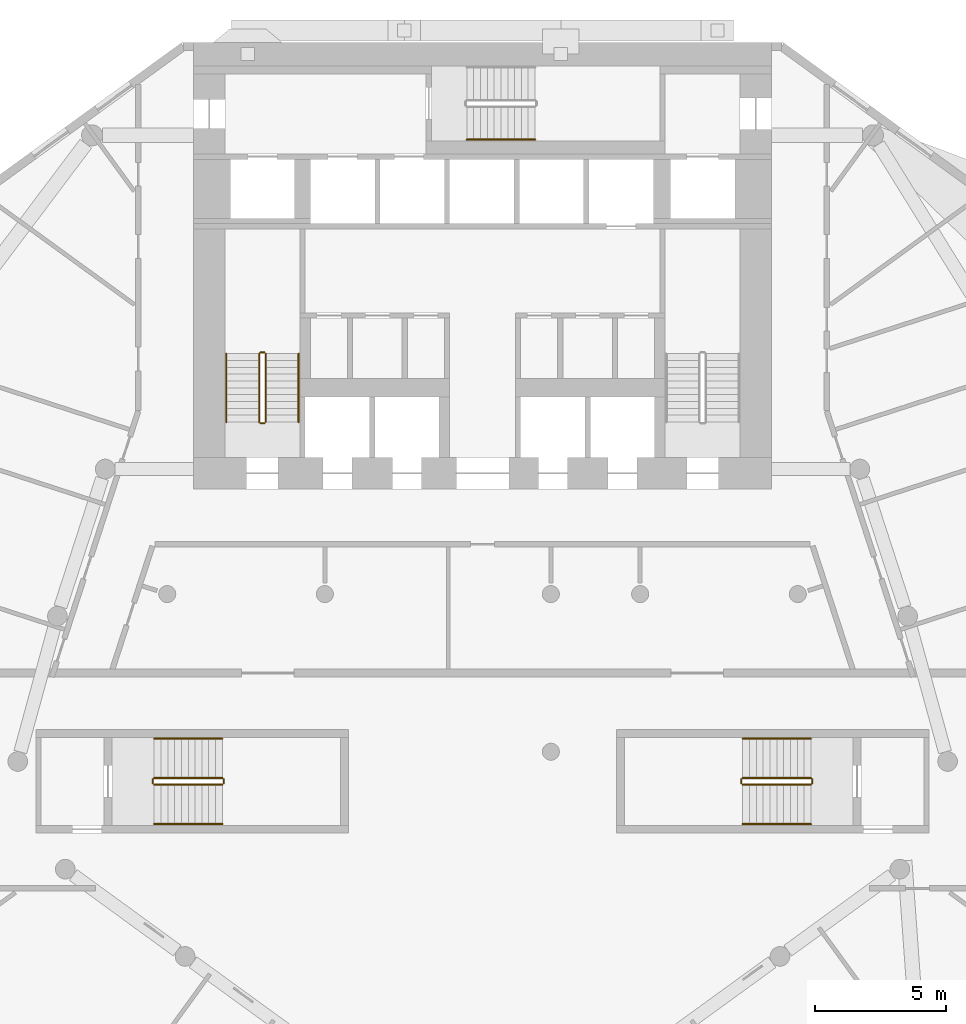
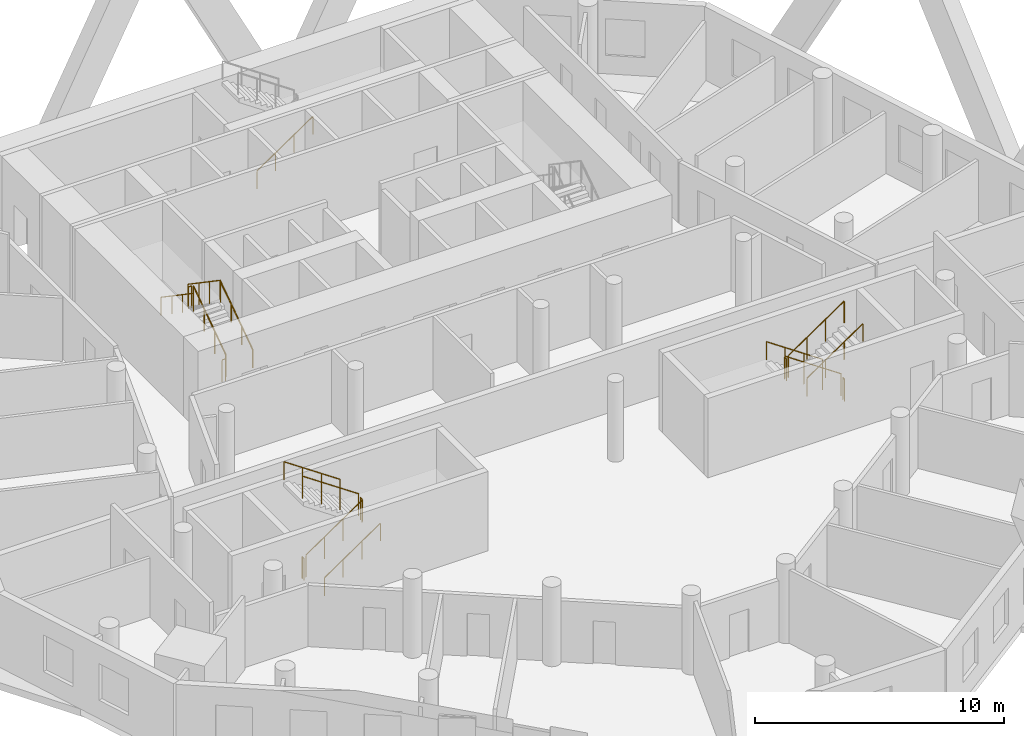
# One storey, part 9 of 10: 19 railings.
"""IFC4 building model written with IfcOpenShell, lengths in metres."""

from ifc_helpers import new_model, si_unit, direction, frame, origin, origin_2d, place, context, subcontext, project, spatial, circle, extrude, material, type_object, element, save


model = new_model("IFC4")

# Units and contexts
model_context = context("Model", 3, precision=1e-05, world=origin(), true_north=direction((0.0, 1.0)))
body_context = subcontext(model_context, "Body", "Model", "MODEL_VIEW")
ifc_project = project(units=[si_unit("LENGTHUNIT", "METRE"), si_unit("AREAUNIT", "SQUARE_METRE"), si_unit("VOLUMEUNIT", "CUBIC_METRE"), si_unit("PLANEANGLEUNIT", "RADIAN"), si_unit("MASSUNIT", "GRAM", prefix="KILO")], contexts=[model_context])

# Site, building, storey
site_placement = place(None, origin())
site = spatial("IfcSite", under=ifc_project, at=site_placement, CompositionType="ELEMENT")
building_placement = place(site_placement, origin())
building = spatial("IfcBuilding", under=site, at=building_placement, Name="White Candle Pilgrim Tower", CompositionType="ELEMENT")
storey_placement = place(building_placement, frame((0.0, 0.0, 54.60009765625)))
storey = spatial("IfcBuildingStorey", under=building, at=storey_placement, Name="L10", CompositionType="ELEMENT", Elevation=54.60009765625)

# Railings
ifc_material = material(Name="Stainless steel", Category="steel")
railing_type_1 = type_object("IfcRailingType", Name="Stair guard stainless steel 1100 mm", PredefinedType="GUARDRAIL", material=ifc_material)
railing_1_placement = place(storey_placement, frame((61.75, 73.550048828125, 0.17724609375)))
element("IfcRailing", 1, at=railing_1_placement, inside=storey, type_object=railing_type_1, Name="L10 ST1 stair guard 1", PredefinedType="GUARDRAIL", context=body_context, shape_type="SweptSolid", body=[
    extrude(circle(Radius=0.02392578125, at=origin_2d()), frame((0.0, 0.0, 1.076171875), z_axis=(0.0, 0.826215852431, 0.563353676824), x_axis=(-1.0, 0.0, 0.0)), (0.0, 0.0, 1.0), 3.146728515625),
    extrude(circle(Radius=0.02099609375, at=origin_2d()), origin(), (0.0, 0.0, 1.0), 1.052001953125),
    extrude(circle(Radius=0.02099609375, at=origin_2d()), frame((0.0, 0.86669921875, 0.5908203125)), (0.0, 0.0, 1.0), 1.052001953125),
    extrude(circle(Radius=0.02099609375, at=origin_2d()), frame((0.0, 1.733154296875, 1.181884765625)), (0.0, 0.0, 1.0), 1.052001953125),
    extrude(circle(Radius=0.02099609375, at=origin_2d()), frame((0.0, 2.599853515625, 1.772705078125)), (0.0, 0.0, 1.0), 1.052001953125),
])
railing_2_placement = place(storey_placement, frame((61.699951171875, 76.199951171875, 1.949951171875)))
element("IfcRailing", 2, at=railing_2_placement, inside=storey, type_object=railing_type_1, Name="L10 ST1 stair guard 2", PredefinedType="GUARDRAIL", context=body_context, shape_type="SweptSolid", body=[
    extrude(circle(Radius=0.02392578125, at=origin_2d()), frame((0.0, 0.0, 1.076171875), z_axis=(-1.0, 0.0, 0.0), x_axis=(0.0, -1.0, 0.0)), (0.0, 0.0, 1.0), 0.14990234375),
    extrude(circle(Radius=0.02099609375, at=origin_2d()), origin(), (0.0, 0.0, 1.0), 1.052001953125),
    extrude(circle(Radius=0.02099609375, at=origin_2d()), frame((-0.14990234375, 0.0, 0.0)), (0.0, 0.0, 1.0), 1.052001953125),
])
railing_3_placement = place(storey_placement, frame((61.5, 76.14990234375, 2.127197265625)))
element("IfcRailing", 3, at=railing_3_placement, inside=storey, type_object=railing_type_1, Name="L10 ST1 stair guard 3", PredefinedType="GUARDRAIL", context=body_context, shape_type="SweptSolid", body=[
    extrude(circle(Radius=0.02392578125, at=origin_2d()), frame((0.0, 0.0, 1.076171875), z_axis=(0.0, -0.826215852431, 0.563353676824), x_axis=(1.0, 0.0, 0.0)), (0.0, 0.0, 1.0), 3.146728515625),
    extrude(circle(Radius=0.02099609375, at=origin_2d()), origin(), (0.0, 0.0, 1.0), 1.052001953125),
    extrude(circle(Radius=0.02099609375, at=origin_2d()), frame((0.0, -0.86669921875, 0.5908203125)), (0.0, 0.0, 1.0), 1.052001953125),
    extrude(circle(Radius=0.02099609375, at=origin_2d()), frame((0.0, -1.733154296875, 1.181884765625)), (0.0, 0.0, 1.0), 1.052001953125),
    extrude(circle(Radius=0.02099609375, at=origin_2d()), frame((0.0, -2.599853515625, 1.772705078125)), (0.0, 0.0, 1.0), 1.052001953125),
])
railing_4_placement = place(storey_placement, frame((61.699951171875, 73.5, 0.0)))
element("IfcRailing", 4, at=railing_4_placement, inside=storey, type_object=railing_type_1, Name="L10 ST1 stair guard 4", PredefinedType="GUARDRAIL", context=body_context, shape_type="SweptSolid", body=[
    extrude(circle(Radius=0.02392578125, at=origin_2d()), frame((0.0, 0.0, 1.076171875), z_axis=(-1.0, 0.0, 0.0), x_axis=(0.0, -1.0, 0.0)), (0.0, 0.0, 1.0), 0.14990234375),
    extrude(circle(Radius=0.02099609375, at=origin_2d()), origin(), (0.0, 0.0, 1.0), 1.052001953125),
    extrude(circle(Radius=0.02099609375, at=origin_2d()), frame((-0.14990234375, 0.0, 0.0)), (0.0, 0.0, 1.0), 1.052001953125),
])
railing_5_placement = place(storey_placement, frame((82.5, 60.0, 0.17724609375)))
element("IfcRailing", 5, at=railing_5_placement, inside=storey, type_object=railing_type_1, Name="L10 ST4 stair guard 1", PredefinedType="GUARDRAIL", context=body_context, shape_type="SweptSolid", body=[
    extrude(circle(Radius=0.02392578125, at=origin_2d()), frame((0.0, 0.0, 1.076171875), z_axis=(-0.826240473404, 0.0, 0.563317565952), x_axis=(0.0, -1.0, 0.0)), (0.0, 0.0, 1.0), 3.14697265625),
    extrude(circle(Radius=0.02099609375, at=origin_2d()), origin(), (0.0, 0.0, 1.0), 1.052001953125),
    extrude(circle(Radius=0.02099609375, at=origin_2d()), frame((-0.86669921875, 0.0, 0.5908203125)), (0.0, 0.0, 1.0), 1.052001953125),
    extrude(circle(Radius=0.02099609375, at=origin_2d()), frame((-1.7333984375, 0.0, 1.181884765625)), (0.0, 0.0, 1.0), 1.052001953125),
    extrude(circle(Radius=0.02099609375, at=origin_2d()), frame((-2.60009765625, 0.0, 1.772705078125)), (0.0, 0.0, 1.0), 1.052001953125),
])
railing_6_placement = place(storey_placement, frame((79.85009765625, 59.949951171875, 1.949951171875)))
element("IfcRailing", 6, at=railing_6_placement, inside=storey, type_object=railing_type_1, Name="L10 ST4 stair guard 2", PredefinedType="GUARDRAIL", context=body_context, shape_type="SweptSolid", body=[
    extrude(circle(Radius=0.02392578125, at=origin_2d()), frame((0.0, 0.0, 1.076171875), z_axis=(0.0, -1.0, 0.0), x_axis=(1.0, 0.0, 0.0)), (0.0, 0.0, 1.0), 0.14990234375),
    extrude(circle(Radius=0.02099609375, at=origin_2d()), origin(), (0.0, 0.0, 1.0), 1.052001953125),
    extrude(circle(Radius=0.02099609375, at=origin_2d()), frame((0.0, -0.14990234375, 0.0)), (0.0, 0.0, 1.0), 1.052001953125),
])
railing_7_placement = place(storey_placement, frame((79.89990234375, 59.75, 2.127197265625)))
element("IfcRailing", 7, at=railing_7_placement, inside=storey, type_object=railing_type_1, Name="L10 ST4 stair guard 3", PredefinedType="GUARDRAIL", context=body_context, shape_type="SweptSolid", body=[
    extrude(circle(Radius=0.02392578125, at=origin_2d()), frame((0.0, 0.0, 1.076171875), z_axis=(0.826240473404, 0.0, 0.563317565952), x_axis=(0.0, 1.0, 0.0)), (0.0, 0.0, 1.0), 3.14697265625),
    extrude(circle(Radius=0.02099609375, at=origin_2d()), origin(), (0.0, 0.0, 1.0), 1.052001953125),
    extrude(circle(Radius=0.02099609375, at=origin_2d()), frame((0.86669921875, 0.0, 0.5908203125)), (0.0, 0.0, 1.0), 1.052001953125),
    extrude(circle(Radius=0.02099609375, at=origin_2d()), frame((1.7333984375, 0.0, 1.181884765625)), (0.0, 0.0, 1.0), 1.052001953125),
    extrude(circle(Radius=0.02099609375, at=origin_2d()), frame((2.60009765625, 0.0, 1.772705078125)), (0.0, 0.0, 1.0), 1.052001953125),
])
railing_8_placement = place(storey_placement, frame((82.550048828125, 59.949951171875, 0.0)))
element("IfcRailing", 8, at=railing_8_placement, inside=storey, type_object=railing_type_1, Name="L10 ST4 stair guard 4", PredefinedType="GUARDRAIL", context=body_context, shape_type="SweptSolid", body=[
    extrude(circle(Radius=0.02392578125, at=origin_2d()), frame((0.0, 0.0, 1.076171875), z_axis=(0.0, -1.0, 0.0), x_axis=(1.0, 0.0, 0.0)), (0.0, 0.0, 1.0), 0.14990234375),
    extrude(circle(Radius=0.02099609375, at=origin_2d()), origin(), (0.0, 0.0, 1.0), 1.052001953125),
    extrude(circle(Radius=0.02099609375, at=origin_2d()), frame((0.0, -0.14990234375, 0.0)), (0.0, 0.0, 1.0), 1.052001953125),
])
railing_9_placement = place(storey_placement, frame((57.5, 59.75, 0.17724609375)))
element("IfcRailing", 9, at=railing_9_placement, inside=storey, type_object=railing_type_1, Name="L10 ST5 stair guard 1", PredefinedType="GUARDRAIL", context=body_context, shape_type="SweptSolid", body=[
    extrude(circle(Radius=0.02392578125, at=origin_2d()), frame((0.0, 0.0, 1.076171875), z_axis=(0.826240473404, 0.0, 0.563317565952), x_axis=(0.0, 1.0, 0.0)), (0.0, 0.0, 1.0), 3.14697265625),
    extrude(circle(Radius=0.02099609375, at=origin_2d()), origin(), (0.0, 0.0, 1.0), 1.052001953125),
    extrude(circle(Radius=0.02099609375, at=origin_2d()), frame((0.86669921875, 0.0, 0.5908203125)), (0.0, 0.0, 1.0), 1.052001953125),
    extrude(circle(Radius=0.02099609375, at=origin_2d()), frame((1.7333984375, 0.0, 1.181884765625)), (0.0, 0.0, 1.0), 1.052001953125),
    extrude(circle(Radius=0.02099609375, at=origin_2d()), frame((2.60009765625, 0.0, 1.772705078125)), (0.0, 0.0, 1.0), 1.052001953125),
])
railing_10_placement = place(storey_placement, frame((60.14990234375, 59.800048828125, 1.949951171875)))
element("IfcRailing", 10, at=railing_10_placement, inside=storey, type_object=railing_type_1, Name="L10 ST5 stair guard 2", PredefinedType="GUARDRAIL", context=body_context, shape_type="SweptSolid", body=[
    extrude(circle(Radius=0.02392578125, at=origin_2d()), frame((0.0, 0.0, 1.076171875), z_axis=(0.0, 1.0, 0.0), x_axis=(-1.0, 0.0, 0.0)), (0.0, 0.0, 1.0), 0.14990234375),
    extrude(circle(Radius=0.02099609375, at=origin_2d()), origin(), (0.0, 0.0, 1.0), 1.052001953125),
    extrude(circle(Radius=0.02099609375, at=origin_2d()), frame((0.0, 0.14990234375, 0.0)), (0.0, 0.0, 1.0), 1.052001953125),
])
railing_11_placement = place(storey_placement, frame((60.10009765625, 60.0, 2.127197265625)))
element("IfcRailing", 11, at=railing_11_placement, inside=storey, type_object=railing_type_1, Name="L10 ST5 stair guard 3", PredefinedType="GUARDRAIL", context=body_context, shape_type="SweptSolid", body=[
    extrude(circle(Radius=0.02392578125, at=origin_2d()), frame((0.0, 0.0, 1.076171875), z_axis=(-0.826240473404, 0.0, 0.563317565952), x_axis=(0.0, -1.0, 0.0)), (0.0, 0.0, 1.0), 3.14697265625),
    extrude(circle(Radius=0.02099609375, at=origin_2d()), origin(), (0.0, 0.0, 1.0), 1.052001953125),
    extrude(circle(Radius=0.02099609375, at=origin_2d()), frame((-0.86669921875, 0.0, 0.5908203125)), (0.0, 0.0, 1.0), 1.052001953125),
    extrude(circle(Radius=0.02099609375, at=origin_2d()), frame((-1.7333984375, 0.0, 1.181884765625)), (0.0, 0.0, 1.0), 1.052001953125),
    extrude(circle(Radius=0.02099609375, at=origin_2d()), frame((-2.60009765625, 0.0, 1.772705078125)), (0.0, 0.0, 1.0), 1.052001953125),
])
railing_12_placement = place(storey_placement, frame((57.449951171875, 59.800048828125, 0.0)))
element("IfcRailing", 12, at=railing_12_placement, inside=storey, type_object=railing_type_1, Name="L10 ST5 stair guard 4", PredefinedType="GUARDRAIL", context=body_context, shape_type="SweptSolid", body=[
    extrude(circle(Radius=0.02392578125, at=origin_2d()), frame((0.0, 0.0, 1.076171875), z_axis=(0.0, 1.0, 0.0), x_axis=(-1.0, 0.0, 0.0)), (0.0, 0.0, 1.0), 0.14990234375),
    extrude(circle(Radius=0.02099609375, at=origin_2d()), origin(), (0.0, 0.0, 1.0), 1.052001953125),
    extrude(circle(Radius=0.02099609375, at=origin_2d()), frame((0.0, 0.14990234375, 0.0)), (0.0, 0.0, 1.0), 1.052001953125),
])
railing_type_2 = type_object("IfcRailingType", Name="Stair handrail stainless steel", PredefinedType="HANDRAIL", material=ifc_material)
railing_13_placement = place(storey_placement, frame((63.0, 73.550048828125, 0.17724609375)))
element("IfcRailing", 13, at=railing_13_placement, inside=storey, type_object=railing_type_2, Name="L10 ST1 stair handrail 1", PredefinedType="HANDRAIL", context=body_context, shape_type="SweptSolid", body=[
    extrude(circle(Radius=0.02392578125, at=origin_2d()), frame((0.0, 0.0, 0.8759765625), z_axis=(0.0, 0.826215852431, 0.563353676824), x_axis=(-1.0, 0.0, 0.0)), (0.0, 0.0, 1.0), 3.146728515625),
    extrude(circle(Radius=0.02099609375, at=origin_2d()), origin(), (0.0, 0.0, 1.0), 0.851806640625),
    extrude(circle(Radius=0.02099609375, at=origin_2d()), frame((0.0, 0.86669921875, 0.5908203125)), (0.0, 0.0, 1.0), 0.851806640625),
    extrude(circle(Radius=0.02099609375, at=origin_2d()), frame((0.0, 1.733154296875, 1.181884765625)), (0.0, 0.0, 1.0), 0.851806640625),
    extrude(circle(Radius=0.02099609375, at=origin_2d()), frame((0.0, 2.599853515625, 1.772705078125)), (0.0, 0.0, 1.0), 0.851806640625),
])
railing_14_placement = place(storey_placement, frame((60.25, 76.14990234375, 2.127197265625)))
element("IfcRailing", 14, at=railing_14_placement, inside=storey, type_object=railing_type_2, Name="L10 ST1 stair handrail 2", PredefinedType="HANDRAIL", context=body_context, shape_type="SweptSolid", body=[
    extrude(circle(Radius=0.02392578125, at=origin_2d()), frame((0.0, 0.0, 0.8759765625), z_axis=(0.0, -0.826215852431, 0.563353676824), x_axis=(1.0, 0.0, 0.0)), (0.0, 0.0, 1.0), 3.146728515625),
    extrude(circle(Radius=0.02099609375, at=origin_2d()), origin(), (0.0, 0.0, 1.0), 0.851806640625),
    extrude(circle(Radius=0.02099609375, at=origin_2d()), frame((0.0, -0.86669921875, 0.5908203125)), (0.0, 0.0, 1.0), 0.851806640625),
    extrude(circle(Radius=0.02099609375, at=origin_2d()), frame((0.0, -1.733154296875, 1.181884765625)), (0.0, 0.0, 1.0), 0.851806640625),
    extrude(circle(Radius=0.02099609375, at=origin_2d()), frame((0.0, -2.599853515625, 1.772705078125)), (0.0, 0.0, 1.0), 0.851806640625),
])
railing_15_placement = place(storey_placement, frame((69.39990234375, 84.300048828125, 0.17724609375)))
element("IfcRailing", 15, at=railing_15_placement, inside=storey, type_object=railing_type_2, Name="L10 ST3 stair handrail 1", PredefinedType="HANDRAIL", context=body_context, shape_type="SweptSolid", body=[
    extrude(circle(Radius=0.02392578125, at=origin_2d()), frame((0.0, 0.0, 0.8759765625), z_axis=(0.826240473404, 0.0, 0.563317565952), x_axis=(0.0, 1.0, 0.0)), (0.0, 0.0, 1.0), 3.14697265625),
    extrude(circle(Radius=0.02099609375, at=origin_2d()), origin(), (0.0, 0.0, 1.0), 0.851806640625),
    extrude(circle(Radius=0.02099609375, at=origin_2d()), frame((0.86669921875, 0.0, 0.5908203125)), (0.0, 0.0, 1.0), 0.851806640625),
    extrude(circle(Radius=0.02099609375, at=origin_2d()), frame((1.7333984375, 0.0, 1.181884765625)), (0.0, 0.0, 1.0), 0.851806640625),
    extrude(circle(Radius=0.02099609375, at=origin_2d()), frame((2.60009765625, 0.0, 1.772705078125)), (0.0, 0.0, 1.0), 0.851806640625),
])
railing_16_placement = place(storey_placement, frame((82.5, 61.5, 0.17724609375)))
element("IfcRailing", 16, at=railing_16_placement, inside=storey, type_object=railing_type_2, Name="L10 ST4 stair handrail 1", PredefinedType="HANDRAIL", context=body_context, shape_type="SweptSolid", body=[
    extrude(circle(Radius=0.02392578125, at=origin_2d()), frame((0.0, 0.0, 0.8759765625), z_axis=(-0.826240473404, 0.0, 0.563317565952), x_axis=(0.0, -1.0, 0.0)), (0.0, 0.0, 1.0), 3.14697265625),
    extrude(circle(Radius=0.02099609375, at=origin_2d()), origin(), (0.0, 0.0, 1.0), 0.851806640625),
    extrude(circle(Radius=0.02099609375, at=origin_2d()), frame((-0.86669921875, 0.0, 0.5908203125)), (0.0, 0.0, 1.0), 0.851806640625),
    extrude(circle(Radius=0.02099609375, at=origin_2d()), frame((-1.7333984375, 0.0, 1.181884765625)), (0.0, 0.0, 1.0), 0.851806640625),
    extrude(circle(Radius=0.02099609375, at=origin_2d()), frame((-2.60009765625, 0.0, 1.772705078125)), (0.0, 0.0, 1.0), 0.851806640625),
])
for number, where, name in (
    (17, (79.89990234375, 58.25, 2.127197265625), "L10 ST4 stair handrail 2"),
    (18, (57.5, 58.25, 0.17724609375), "L10 ST5 stair handrail 1"),
):
    element("IfcRailing", number, at=place(storey_placement, frame(where)), inside=storey, type_object=railing_type_2, Name=name, PredefinedType="HANDRAIL", context=body_context, shape_type="SweptSolid", body=[
        extrude(circle(Radius=0.02392578125, at=origin_2d()), frame((0.0, 0.0, 0.8759765625), z_axis=(0.826240473404, 0.0, 0.563317565952), x_axis=(0.0, 1.0, 0.0)), (0.0, 0.0, 1.0), 3.14697265625),
        extrude(circle(Radius=0.02099609375, at=origin_2d()), origin(), (0.0, 0.0, 1.0), 0.851806640625),
        extrude(circle(Radius=0.02099609375, at=origin_2d()), frame((0.86669921875, 0.0, 0.5908203125)), (0.0, 0.0, 1.0), 0.851806640625),
        extrude(circle(Radius=0.02099609375, at=origin_2d()), frame((1.7333984375, 0.0, 1.181884765625)), (0.0, 0.0, 1.0), 0.851806640625),
        extrude(circle(Radius=0.02099609375, at=origin_2d()), frame((2.60009765625, 0.0, 1.772705078125)), (0.0, 0.0, 1.0), 0.851806640625),
    ])
railing_17_placement = place(storey_placement, frame((60.10009765625, 61.5, 2.127197265625)))
element("IfcRailing", 19, at=railing_17_placement, inside=storey, type_object=railing_type_2, Name="L10 ST5 stair handrail 2", PredefinedType="HANDRAIL", context=body_context, shape_type="SweptSolid", body=[
    extrude(circle(Radius=0.02392578125, at=origin_2d()), frame((0.0, 0.0, 0.8759765625), z_axis=(-0.826240473404, 0.0, 0.563317565952), x_axis=(0.0, -1.0, 0.0)), (0.0, 0.0, 1.0), 3.14697265625),
    extrude(circle(Radius=0.02099609375, at=origin_2d()), origin(), (0.0, 0.0, 1.0), 0.851806640625),
    extrude(circle(Radius=0.02099609375, at=origin_2d()), frame((-0.86669921875, 0.0, 0.5908203125)), (0.0, 0.0, 1.0), 0.851806640625),
    extrude(circle(Radius=0.02099609375, at=origin_2d()), frame((-1.7333984375, 0.0, 1.181884765625)), (0.0, 0.0, 1.0), 0.851806640625),
    extrude(circle(Radius=0.02099609375, at=origin_2d()), frame((-2.60009765625, 0.0, 1.772705078125)), (0.0, 0.0, 1.0), 0.851806640625),
])

save(model, "model.ifc")
